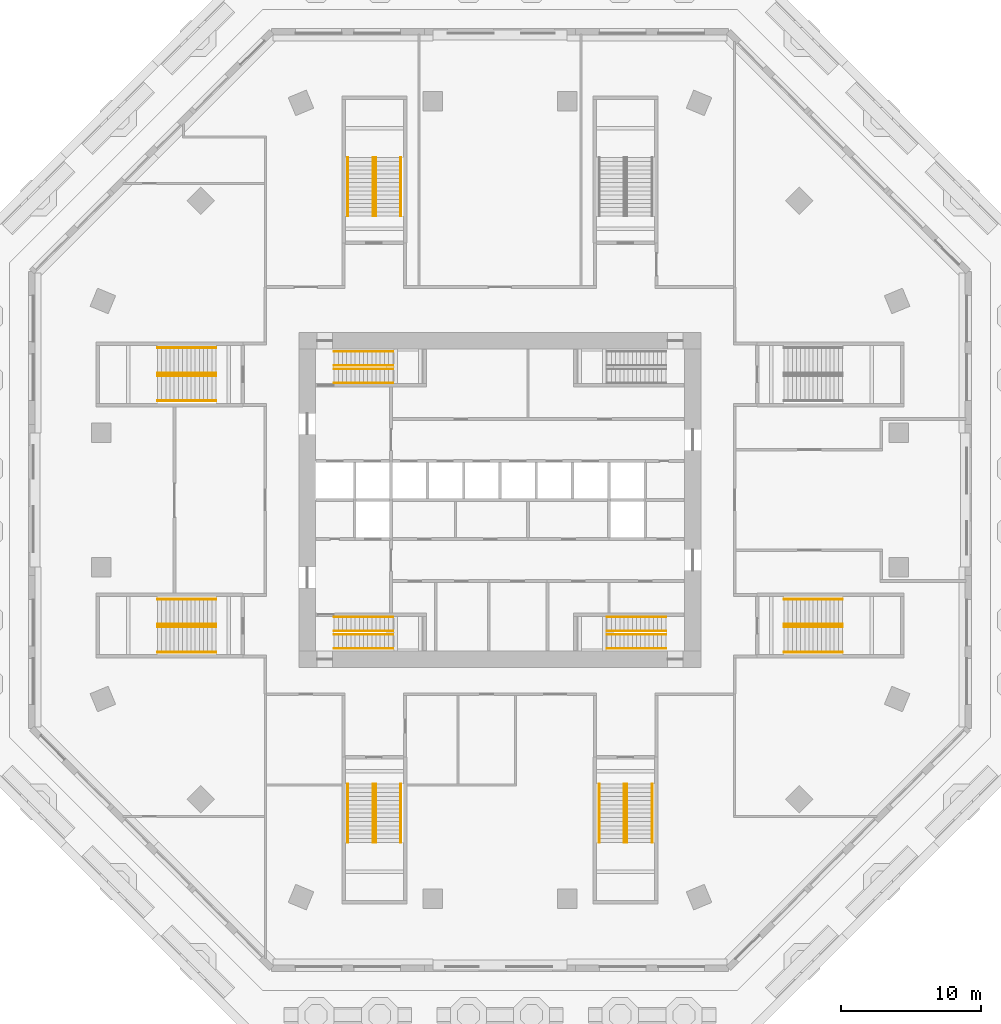
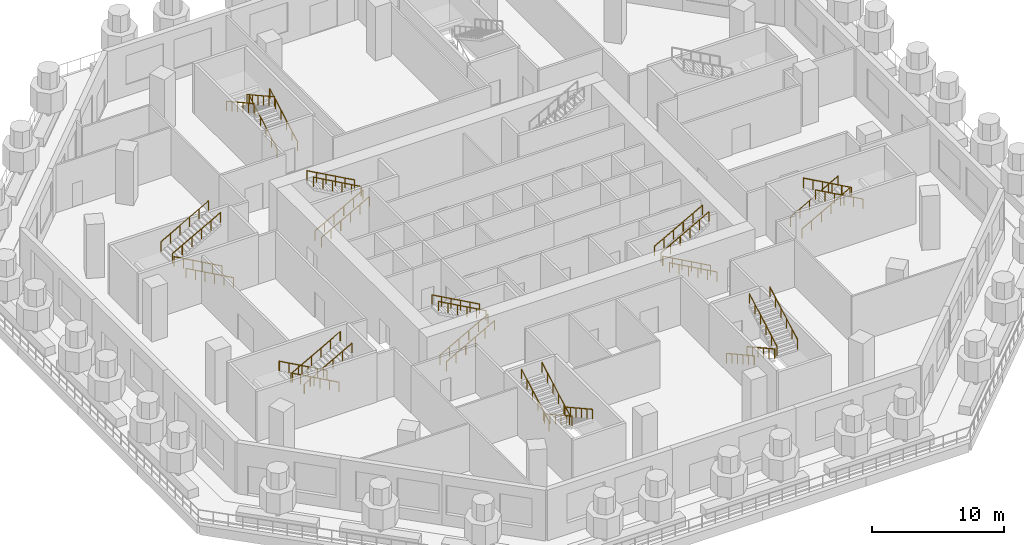
# One storey, part 11 of 13: 36 railings.
"""IFC4 building model written with IfcOpenShell, lengths in metres."""

import ifcopenshell
import ifcopenshell.guid

model = None  # the IFC model being written
_history = None  # IfcOwnerHistory: only IFC2X3 demands one
_inside = {}  # id of a spatial element -> (the spatial element, [elements in it])
_under = {}  # id of a project, library or spatial element -> (it, [spatial elements below it])
_declared = {}  # id of a project -> (the project, [libraries it declares])
_typed = {}  # id of a type object -> (the type object, [elements of that type])
_made_of = {}  # id of a material, layer set ... -> (it, [elements and type objects made of it])


def new_model(schema):
    """Start an empty IFC model of exactly this schema.

    Asked for "IFC4X3", IfcOpenShell would pick the latest addendum, in which some entities
    have other attributes; the version numbers below select the first issue.
    IFC2X3 requires an IfcOwnerHistory on every rooted entity: one is made here for all.
    """
    global model, _history
    if schema == "IFC4X3":
        model = ifcopenshell.file(schema_version=(4, 3, 0, 0))
    else:
        model = ifcopenshell.file(schema=schema)
    _inside.clear()
    _under.clear()
    _declared.clear()
    _typed.clear()
    _made_of.clear()
    _history = None
    if model.schema == "IFC2X3":
        org = make("IfcOrganization", Name="unknown")
        user = make(
            "IfcPersonAndOrganization",
            ThePerson=make("IfcPerson", FamilyName="unknown"),
            TheOrganization=org,
        )
        app = make(
            "IfcApplication",
            ApplicationDeveloper=org,
            Version="unknown",
            ApplicationFullName="unknown",
            ApplicationIdentifier="unknown",
        )
        _history = make(
            "IfcOwnerHistory",
            OwningUser=user,
            OwningApplication=app,
            ChangeAction="ADDED",
            CreationDate=0,
        )
    return model


def make(cls, **values):
    """One entity of the class cls with the attributes given. An attribute that is None is left unset."""
    return model.create_entity(
        cls, **{name: value for name, value in values.items() if value is not None}
    )


def rooted(cls, **values):
    """An entity with a GlobalId (a new one), such as an element, a storey or a relation."""
    return make(cls, GlobalId=ifcopenshell.guid.new(), OwnerHistory=_history, **values)


def si_unit(unit_type, name, prefix=None):
    """IfcSIUnit, for example si_unit("LENGTHUNIT", "METRE", prefix="MILLI")."""
    return make("IfcSIUnit", UnitType=unit_type, Prefix=prefix, Name=name)


def assignment(units):
    """IfcUnitAssignment: the units of a project."""
    return None if units is None else make("IfcUnitAssignment", Units=units)


def point(xyz):
    """IfcCartesianPoint."""
    return None if xyz is None else make("IfcCartesianPoint", Coordinates=xyz)


def direction(xyz):
    """IfcDirection."""
    return None if xyz is None else make("IfcDirection", DirectionRatios=xyz)


def frame(location, z_axis=None, x_axis=None):
    """IfcAxis2Placement3D, a coordinate frame: its origin and axes. An axis left out is left unset."""
    return make(
        "IfcAxis2Placement3D",
        Location=point(location),
        Axis=direction(z_axis),
        RefDirection=direction(x_axis),
    )


def frame_2d(location, x_axis=None):
    """IfcAxis2Placement2D, a coordinate frame in the plane: its origin and x axis."""
    return make(
        "IfcAxis2Placement2D", Location=point(location), RefDirection=direction(x_axis)
    )


def origin():
    """The frame at (0, 0, 0) with its axes left unset."""
    return frame((0.0, 0.0, 0.0))


def origin_2d():
    """The frame at (0, 0) in the plane with its x axis left unset."""
    return frame_2d((0.0, 0.0))


def place(relative_to, where):
    """IfcLocalPlacement: puts the frame where relative to a parent placement (None: the world)."""
    return make(
        "IfcLocalPlacement", PlacementRelTo=relative_to, RelativePlacement=where
    )


def context(
    kind, dimensions, precision=None, world=None, true_north=None, identifier=None
):
    """IfcGeometricRepresentationContext, for example the 3D "Model" context."""
    return make(
        "IfcGeometricRepresentationContext",
        ContextIdentifier=identifier,
        ContextType=kind,
        CoordinateSpaceDimension=dimensions,
        Precision=precision,
        WorldCoordinateSystem=world,
        TrueNorth=true_north,
    )


def subcontext(parent, identifier, kind, view, scale=None):
    """IfcGeometricRepresentationSubContext, for example "Body" below "Model"."""
    return make(
        "IfcGeometricRepresentationSubContext",
        ContextIdentifier=identifier,
        ContextType=kind,
        ParentContext=parent,
        TargetScale=scale,
        TargetView=view,
    )


def project(units=None, contexts=None):
    """IfcProject with its units and contexts."""
    return rooted(
        "IfcProject",
        Name="project",
        RepresentationContexts=contexts,
        UnitsInContext=assignment(units),
    )


def spatial(cls, under=None, at=None, **own):
    """A site, building, storey or space (cls), placed at a placement, below another one or the project."""
    s = rooted(cls, ObjectPlacement=at, **own)
    if under is not None:
        _under.setdefault(under.id(), (under, []))[1].append(s)
    return s


def profile(cls, at=None, kind="AREA", **sizes):
    """A parametric profile (cls). Its sizes go by their IFC names, for example OverallWidth=200.0."""
    return make(cls, ProfileType=kind, Position=at, **sizes)


def circle(**sizes):
    """IfcCircleProfileDef."""
    return profile("IfcCircleProfileDef", **sizes)


def extrude(swept, where, along, depth):
    """IfcExtrudedAreaSolid: the profile swept, set in the frame where, extruded along a direction by depth."""
    return make(
        "IfcExtrudedAreaSolid",
        SweptArea=swept,
        Position=where,
        ExtrudedDirection=direction(along),
        Depth=depth,
    )


def shape(context_of_items, identifier, shape_type, items):
    """IfcShapeRepresentation: the items that make up one representation, for example the "Body"."""
    return make(
        "IfcShapeRepresentation",
        ContextOfItems=context_of_items,
        RepresentationIdentifier=identifier,
        RepresentationType=shape_type,
        Items=items,
    )


def material(Name=None, Category=None):
    """IfcMaterial."""
    return make("IfcMaterial", Name=Name, Category=Category)


def constituent(of_material, Name=None, Category=None, fraction=None):
    """IfcMaterialConstituent: one of the materials an element consists of."""
    return make(
        "IfcMaterialConstituent",
        Name=Name,
        Material=of_material,
        Fraction=fraction,
        Category=Category,
    )


def constituent_set(constituents=None, Name=None):
    """IfcMaterialConstituentSet."""
    return make(
        "IfcMaterialConstituentSet", Name=Name, MaterialConstituents=constituents
    )


def made_of(thing, what):
    """Note that an element or type object is made of a material, layer set ...; save() writes the relation."""
    if what is not None:
        _made_of.setdefault(what.id(), (what, []))[1].append(thing)
    return thing


def type_object(cls, material=None, **own):
    """A type object (cls), such as IfcWallType, which elements share."""
    return made_of(rooted(cls, **own), material)


def element(
    cls,
    number,
    at=None,
    inside=None,
    cuts=None,
    type_object=None,
    material=None,
    context=None,
    identifier="Body",
    shape_type=None,
    held_by="IfcProductDefinitionShape",
    body=None,
    shapes=None,
    **own,
):
    """One element of the class cls, such as IfcWall. Its Tag is "e" and its number.

    at: its placement. inside: the storey or other place that contains it. cuts: it is an
    opening in that element (IfcRelVoidsElement). A single representation is given by context,
    identifier, shape_type and body (its items); several are given by shapes. held_by: the class
    of the entity that holds the representations. save() writes the other relations.
    """
    e = rooted(cls, Tag="e%d" % number, ObjectPlacement=at, **own)
    if body is not None:
        shapes = [shape(context, identifier, shape_type, body)]
    if shapes is not None:
        e.Representation = make(held_by, Representations=shapes)
    if inside is not None:
        _inside.setdefault(inside.id(), (inside, []))[1].append(e)
    if cuts is not None:
        rooted(
            "IfcRelVoidsElement", RelatingBuildingElement=cuts, RelatedOpeningElement=e
        )
    if type_object is not None:
        _typed.setdefault(type_object.id(), (type_object, []))[1].append(e)
    return made_of(e, material)


def aggregate(whole, parts):
    """IfcRelAggregates: a whole, such as a stair, and the parts it consists of."""
    return rooted("IfcRelAggregates", RelatingObject=whole, RelatedObjects=parts)


def save(model, path):
    """Write the relations noted so far, then the file.

    IfcRelAggregates (storeys below a building ...), IfcRelContainedInSpatialStructure (elements
    in a storey), IfcRelDefinesByType, IfcRelAssociatesMaterial and IfcRelDeclares: one each for
    every whole, place, type object, material and project.
    """
    for whole, parts in _under.values():
        aggregate(whole, parts)
    for where, things in _inside.values():
        rooted(
            "IfcRelContainedInSpatialStructure",
            RelatedElements=things,
            RelatingStructure=where,
        )
    for kind, things in _typed.values():
        rooted("IfcRelDefinesByType", RelatedObjects=things, RelatingType=kind)
    for what, things in _made_of.values():
        rooted("IfcRelAssociatesMaterial", RelatedObjects=things, RelatingMaterial=what)
    for by, libraries in _declared.values():
        rooted("IfcRelDeclares", RelatingContext=by, RelatedDefinitions=libraries)
    model.write(path)


model = new_model("IFC4")

# Units and contexts
model_context = context("Model", 3, precision=1e-05, world=origin(), true_north=direction((0.0, 1.0)))
body_context = subcontext(model_context, "Body", "Model", "MODEL_VIEW")
ifc_project = project(units=[si_unit("LENGTHUNIT", "METRE"), si_unit("AREAUNIT", "SQUARE_METRE"), si_unit("VOLUMEUNIT", "CUBIC_METRE"), si_unit("PLANEANGLEUNIT", "RADIAN"), si_unit("MASSUNIT", "GRAM", prefix="KILO")], contexts=[model_context])

# Site, building, storey
site_placement = place(None, origin())
site = spatial("IfcSite", under=ifc_project, at=site_placement, CompositionType="ELEMENT")
building_placement = place(site_placement, origin())
building = spatial("IfcBuilding", under=site, at=building_placement, Name="Msitu Wima Residences", CompositionType="ELEMENT")
storey_placement = place(building_placement, frame((0.0, 0.0, 16.0)))
storey = spatial("IfcBuildingStorey", under=building, at=storey_placement, Name="L03", CompositionType="ELEMENT", Elevation=16.0)

# Railings
ifc_material_1 = material(Name="Steel S355", Category="steel")
ifc_constituent_1 = constituent(ifc_material_1, Name="Steel S355")
ifc_material_2 = material(Name="Black powder coating")
ifc_constituent_2 = constituent(ifc_material_2, Name="Black powder coating")
ifc_constituent_set = constituent_set(constituents=[ifc_constituent_1, ifc_constituent_2], Name="Steel S355")
railing_type = type_object("IfcRailingType", Name="Stair handrail HR1", PredefinedType="HANDRAIL", material=ifc_constituent_set)
for number, where, name in (
    (1, (-11.875, 8.375, 0.166748046875), "Stair 1 handrail"),
    (2, (-11.875, 9.375, 0.166748046875), "Stair 1 handrail"),
):
    element("IfcRailing", number, at=place(storey_placement, frame(where)), inside=storey, type_object=railing_type, Name=name, PredefinedType="HANDRAIL", context=body_context, shape_type="SweptSolid", body=[
        extrude(circle(Radius=0.02392578125, at=origin_2d()), frame((0.0, 0.0, 0.8759765625), z_axis=(0.874162069901, 0.0, 0.485634302275), x_axis=(0.0, 1.0, 0.0)), (0.0, 0.0, 1.0), 4.804443359375),
        extrude(circle(Radius=0.02099609375, at=origin_2d()), origin(), (0.0, 0.0, 1.0), 0.851806640625),
        extrude(circle(Radius=0.02099609375, at=origin_2d()), frame((0.840087890625, 0.0, 0.466552734375)), (0.0, 0.0, 1.0), 0.851806640625),
        extrude(circle(Radius=0.02099609375, at=origin_2d()), frame((1.679931640625, 0.0, 0.933349609375)), (0.0, 0.0, 1.0), 0.851806640625),
        extrude(circle(Radius=0.02099609375, at=origin_2d()), frame((2.52001953125, 0.0, 1.39990234375)), (0.0, 0.0, 1.0), 0.851806640625),
        extrude(circle(Radius=0.02099609375, at=origin_2d()), frame((3.35986328125, 0.0, 1.86669921875)), (0.0, 0.0, 1.0), 0.851806640625),
        extrude(circle(Radius=0.02099609375, at=origin_2d()), frame((4.199951171875, 0.0, 2.333251953125)), (0.0, 0.0, 1.0), 0.851806640625),
    ])
for number, where, name in (
    (3, (-7.675048828125, 9.625, 2.666748046875), "Stair 1 handrail"),
    (4, (-7.675048828125, 10.625, 2.666748046875), "Stair 1 handrail"),
):
    element("IfcRailing", number, at=place(storey_placement, frame(where)), inside=storey, type_object=railing_type, Name=name, PredefinedType="HANDRAIL", context=body_context, shape_type="SweptSolid", body=[
        extrude(circle(Radius=0.02392578125, at=origin_2d()), frame((0.0, 0.0, 0.8759765625), z_axis=(-0.874162069901, 0.0, 0.485634302275), x_axis=(0.0, -1.0, 0.0)), (0.0, 0.0, 1.0), 4.804443359375),
        extrude(circle(Radius=0.02099609375, at=origin_2d()), origin(), (0.0, 0.0, 1.0), 0.851806640625),
        extrude(circle(Radius=0.02099609375, at=origin_2d()), frame((-0.840087890625, 0.0, 0.466552734375)), (0.0, 0.0, 1.0), 0.851806640625),
        extrude(circle(Radius=0.02099609375, at=origin_2d()), frame((-1.679931640625, 0.0, 0.933349609375)), (0.0, 0.0, 1.0), 0.851806640625),
        extrude(circle(Radius=0.02099609375, at=origin_2d()), frame((-2.52001953125, 0.0, 1.39990234375)), (0.0, 0.0, 1.0), 0.851806640625),
        extrude(circle(Radius=0.02099609375, at=origin_2d()), frame((-3.35986328125, 0.0, 1.86669921875)), (0.0, 0.0, 1.0), 0.851806640625),
        extrude(circle(Radius=0.02099609375, at=origin_2d()), frame((-4.199951171875, 0.0, 2.333251953125)), (0.0, 0.0, 1.0), 0.851806640625),
    ])
for number, where, name in (
    (5, (-11.875, -10.625, 0.166748046875), "Stair 2 handrail"),
    (6, (-11.875, -9.625, 0.166748046875), "Stair 2 handrail"),
):
    element("IfcRailing", number, at=place(storey_placement, frame(where)), inside=storey, type_object=railing_type, Name=name, PredefinedType="HANDRAIL", context=body_context, shape_type="SweptSolid", body=[
        extrude(circle(Radius=0.02392578125, at=origin_2d()), frame((0.0, 0.0, 0.8759765625), z_axis=(0.874162069901, 0.0, 0.485634302275), x_axis=(0.0, 1.0, 0.0)), (0.0, 0.0, 1.0), 4.804443359375),
        extrude(circle(Radius=0.02099609375, at=origin_2d()), origin(), (0.0, 0.0, 1.0), 0.851806640625),
        extrude(circle(Radius=0.02099609375, at=origin_2d()), frame((0.840087890625, 0.0, 0.466552734375)), (0.0, 0.0, 1.0), 0.851806640625),
        extrude(circle(Radius=0.02099609375, at=origin_2d()), frame((1.679931640625, 0.0, 0.933349609375)), (0.0, 0.0, 1.0), 0.851806640625),
        extrude(circle(Radius=0.02099609375, at=origin_2d()), frame((2.52001953125, 0.0, 1.39990234375)), (0.0, 0.0, 1.0), 0.851806640625),
        extrude(circle(Radius=0.02099609375, at=origin_2d()), frame((3.35986328125, 0.0, 1.86669921875)), (0.0, 0.0, 1.0), 0.851806640625),
        extrude(circle(Radius=0.02099609375, at=origin_2d()), frame((4.199951171875, 0.0, 2.333251953125)), (0.0, 0.0, 1.0), 0.851806640625),
    ])
for number, where, name in (
    (7, (-7.675048828125, -9.375, 2.666748046875), "Stair 2 handrail"),
    (8, (-7.675048828125, -8.375, 2.666748046875), "Stair 2 handrail"),
    (9, (11.875, -10.625, 0.166748046875), "Stair 4 handrail"),
    (10, (11.875, -9.625, 0.166748046875), "Stair 4 handrail"),
):
    element("IfcRailing", number, at=place(storey_placement, frame(where)), inside=storey, type_object=railing_type, Name=name, PredefinedType="HANDRAIL", context=body_context, shape_type="SweptSolid", body=[
        extrude(circle(Radius=0.02392578125, at=origin_2d()), frame((0.0, 0.0, 0.8759765625), z_axis=(-0.874162069901, 0.0, 0.485634302275), x_axis=(0.0, -1.0, 0.0)), (0.0, 0.0, 1.0), 4.804443359375),
        extrude(circle(Radius=0.02099609375, at=origin_2d()), origin(), (0.0, 0.0, 1.0), 0.851806640625),
        extrude(circle(Radius=0.02099609375, at=origin_2d()), frame((-0.840087890625, 0.0, 0.466552734375)), (0.0, 0.0, 1.0), 0.851806640625),
        extrude(circle(Radius=0.02099609375, at=origin_2d()), frame((-1.679931640625, 0.0, 0.933349609375)), (0.0, 0.0, 1.0), 0.851806640625),
        extrude(circle(Radius=0.02099609375, at=origin_2d()), frame((-2.52001953125, 0.0, 1.39990234375)), (0.0, 0.0, 1.0), 0.851806640625),
        extrude(circle(Radius=0.02099609375, at=origin_2d()), frame((-3.35986328125, 0.0, 1.86669921875)), (0.0, 0.0, 1.0), 0.851806640625),
        extrude(circle(Radius=0.02099609375, at=origin_2d()), frame((-4.199951171875, 0.0, 2.333251953125)), (0.0, 0.0, 1.0), 0.851806640625),
    ])
for number, where, name in (
    (11, (7.675048828125, -9.375, 2.666748046875), "Stair 4 handrail"),
    (12, (7.675048828125, -8.375, 2.666748046875), "Stair 4 handrail"),
    (13, (20.324951171875, -7.10009765625, 0.166748046875), "Podium exit stair 2 handrail"),
    (14, (20.324951171875, -8.89990234375, 0.166748046875), "Podium exit stair 2 handrail"),
):
    element("IfcRailing", number, at=place(storey_placement, frame(where)), inside=storey, type_object=railing_type, Name=name, PredefinedType="HANDRAIL", context=body_context, shape_type="SweptSolid", body=[
        extrude(circle(Radius=0.02392578125, at=origin_2d()), frame((0.0, 0.0, 0.8759765625), z_axis=(0.874162069901, 0.0, 0.485634302275), x_axis=(0.0, 1.0, 0.0)), (0.0, 0.0, 1.0), 4.804443359375),
        extrude(circle(Radius=0.02099609375, at=origin_2d()), origin(), (0.0, 0.0, 1.0), 0.851806640625),
        extrude(circle(Radius=0.02099609375, at=origin_2d()), frame((0.840087890625, 0.0, 0.466552734375)), (0.0, 0.0, 1.0), 0.851806640625),
        extrude(circle(Radius=0.02099609375, at=origin_2d()), frame((1.679931640625, 0.0, 0.933349609375)), (0.0, 0.0, 1.0), 0.851806640625),
        extrude(circle(Radius=0.02099609375, at=origin_2d()), frame((2.52001953125, 0.0, 1.39990234375)), (0.0, 0.0, 1.0), 0.851806640625),
        extrude(circle(Radius=0.02099609375, at=origin_2d()), frame((3.35986328125, 0.0, 1.86669921875)), (0.0, 0.0, 1.0), 0.851806640625),
        extrude(circle(Radius=0.02099609375, at=origin_2d()), frame((4.199951171875, 0.0, 2.333251953125)), (0.0, 0.0, 1.0), 0.851806640625),
    ])
for number, where, name in (
    (15, (24.52490234375, -9.10009765625, 2.666748046875), "Podium exit stair 2 handrail"),
    (16, (24.52490234375, -10.89990234375, 2.666748046875), "Podium exit stair 2 handrail"),
):
    element("IfcRailing", number, at=place(storey_placement, frame(where)), inside=storey, type_object=railing_type, Name=name, PredefinedType="HANDRAIL", context=body_context, shape_type="SweptSolid", body=[
        extrude(circle(Radius=0.02392578125, at=origin_2d()), frame((0.0, 0.0, 0.8759765625), z_axis=(-0.874162069901, 0.0, 0.485634302275), x_axis=(0.0, -1.0, 0.0)), (0.0, 0.0, 1.0), 4.804443359375),
        extrude(circle(Radius=0.02099609375, at=origin_2d()), origin(), (0.0, 0.0, 1.0), 0.851806640625),
        extrude(circle(Radius=0.02099609375, at=origin_2d()), frame((-0.840087890625, 0.0, 0.466552734375)), (0.0, 0.0, 1.0), 0.851806640625),
        extrude(circle(Radius=0.02099609375, at=origin_2d()), frame((-1.679931640625, 0.0, 0.933349609375)), (0.0, 0.0, 1.0), 0.851806640625),
        extrude(circle(Radius=0.02099609375, at=origin_2d()), frame((-2.52001953125, 0.0, 1.39990234375)), (0.0, 0.0, 1.0), 0.851806640625),
        extrude(circle(Radius=0.02099609375, at=origin_2d()), frame((-3.35986328125, 0.0, 1.86669921875)), (0.0, 0.0, 1.0), 0.851806640625),
        extrude(circle(Radius=0.02099609375, at=origin_2d()), frame((-4.199951171875, 0.0, 2.333251953125)), (0.0, 0.0, 1.0), 0.851806640625),
    ])
for number, where, name in (
    (17, (-7.10009765625, 20.324951171875, 0.166748046875), "Podium exit stair 3 handrail"),
    (18, (-8.89990234375, 20.324951171875, 0.166748046875), "Podium exit stair 3 handrail"),
):
    element("IfcRailing", number, at=place(storey_placement, frame(where)), inside=storey, type_object=railing_type, Name=name, PredefinedType="HANDRAIL", context=body_context, shape_type="SweptSolid", body=[
        extrude(circle(Radius=0.02392578125, at=origin_2d()), frame((0.0, 0.0, 0.8759765625), z_axis=(0.0, 0.874162069901, 0.485634302275), x_axis=(-1.0, 0.0, 0.0)), (0.0, 0.0, 1.0), 4.804443359375),
        extrude(circle(Radius=0.02099609375, at=origin_2d()), origin(), (0.0, 0.0, 1.0), 0.851806640625),
        extrude(circle(Radius=0.02099609375, at=origin_2d()), frame((0.0, 0.840087890625, 0.466552734375)), (0.0, 0.0, 1.0), 0.851806640625),
        extrude(circle(Radius=0.02099609375, at=origin_2d()), frame((0.0, 1.679931640625, 0.933349609375)), (0.0, 0.0, 1.0), 0.851806640625),
        extrude(circle(Radius=0.02099609375, at=origin_2d()), frame((0.0, 2.52001953125, 1.39990234375)), (0.0, 0.0, 1.0), 0.851806640625),
        extrude(circle(Radius=0.02099609375, at=origin_2d()), frame((0.0, 3.35986328125, 1.86669921875)), (0.0, 0.0, 1.0), 0.851806640625),
        extrude(circle(Radius=0.02099609375, at=origin_2d()), frame((0.0, 4.199951171875, 2.333251953125)), (0.0, 0.0, 1.0), 0.851806640625),
    ])
for number, where, name in (
    (19, (-9.10009765625, 24.52490234375, 2.666748046875), "Podium exit stair 3 handrail"),
    (20, (-10.89990234375, 24.52490234375, 2.666748046875), "Podium exit stair 3 handrail"),
):
    element("IfcRailing", number, at=place(storey_placement, frame(where)), inside=storey, type_object=railing_type, Name=name, PredefinedType="HANDRAIL", context=body_context, shape_type="SweptSolid", body=[
        extrude(circle(Radius=0.02392578125, at=origin_2d()), frame((0.0, 0.0, 0.8759765625), z_axis=(0.0, -0.874162069901, 0.485634302275), x_axis=(1.0, 0.0, 0.0)), (0.0, 0.0, 1.0), 4.804443359375),
        extrude(circle(Radius=0.02099609375, at=origin_2d()), origin(), (0.0, 0.0, 1.0), 0.851806640625),
        extrude(circle(Radius=0.02099609375, at=origin_2d()), frame((0.0, -0.840087890625, 0.466552734375)), (0.0, 0.0, 1.0), 0.851806640625),
        extrude(circle(Radius=0.02099609375, at=origin_2d()), frame((0.0, -1.679931640625, 0.933349609375)), (0.0, 0.0, 1.0), 0.851806640625),
        extrude(circle(Radius=0.02099609375, at=origin_2d()), frame((0.0, -2.52001953125, 1.39990234375)), (0.0, 0.0, 1.0), 0.851806640625),
        extrude(circle(Radius=0.02099609375, at=origin_2d()), frame((0.0, -3.35986328125, 1.86669921875)), (0.0, 0.0, 1.0), 0.851806640625),
        extrude(circle(Radius=0.02099609375, at=origin_2d()), frame((0.0, -4.199951171875, 2.333251953125)), (0.0, 0.0, 1.0), 0.851806640625),
    ])
for number, where, name in (
    (21, (-20.324951171875, -7.10009765625, 0.166748046875), "Podium exit stair 5 handrail"),
    (22, (-20.324951171875, -8.89990234375, 0.166748046875), "Podium exit stair 5 handrail"),
):
    element("IfcRailing", number, at=place(storey_placement, frame(where)), inside=storey, type_object=railing_type, Name=name, PredefinedType="HANDRAIL", context=body_context, shape_type="SweptSolid", body=[
        extrude(circle(Radius=0.02392578125, at=origin_2d()), frame((0.0, 0.0, 0.8759765625), z_axis=(-0.874162069901, 0.0, 0.485634302275), x_axis=(0.0, -1.0, 0.0)), (0.0, 0.0, 1.0), 4.804443359375),
        extrude(circle(Radius=0.02099609375, at=origin_2d()), origin(), (0.0, 0.0, 1.0), 0.851806640625),
        extrude(circle(Radius=0.02099609375, at=origin_2d()), frame((-0.840087890625, 0.0, 0.466552734375)), (0.0, 0.0, 1.0), 0.851806640625),
        extrude(circle(Radius=0.02099609375, at=origin_2d()), frame((-1.679931640625, 0.0, 0.933349609375)), (0.0, 0.0, 1.0), 0.851806640625),
        extrude(circle(Radius=0.02099609375, at=origin_2d()), frame((-2.52001953125, 0.0, 1.39990234375)), (0.0, 0.0, 1.0), 0.851806640625),
        extrude(circle(Radius=0.02099609375, at=origin_2d()), frame((-3.35986328125, 0.0, 1.86669921875)), (0.0, 0.0, 1.0), 0.851806640625),
        extrude(circle(Radius=0.02099609375, at=origin_2d()), frame((-4.199951171875, 0.0, 2.333251953125)), (0.0, 0.0, 1.0), 0.851806640625),
    ])
for number, where, name in (
    (23, (-24.52490234375, -9.10009765625, 2.666748046875), "Podium exit stair 5 handrail"),
    (24, (-24.52490234375, -10.89990234375, 2.666748046875), "Podium exit stair 5 handrail"),
):
    element("IfcRailing", number, at=place(storey_placement, frame(where)), inside=storey, type_object=railing_type, Name=name, PredefinedType="HANDRAIL", context=body_context, shape_type="SweptSolid", body=[
        extrude(circle(Radius=0.02392578125, at=origin_2d()), frame((0.0, 0.0, 0.8759765625), z_axis=(0.874162069901, 0.0, 0.485634302275), x_axis=(0.0, 1.0, 0.0)), (0.0, 0.0, 1.0), 4.804443359375),
        extrude(circle(Radius=0.02099609375, at=origin_2d()), origin(), (0.0, 0.0, 1.0), 0.851806640625),
        extrude(circle(Radius=0.02099609375, at=origin_2d()), frame((0.840087890625, 0.0, 0.466552734375)), (0.0, 0.0, 1.0), 0.851806640625),
        extrude(circle(Radius=0.02099609375, at=origin_2d()), frame((1.679931640625, 0.0, 0.933349609375)), (0.0, 0.0, 1.0), 0.851806640625),
        extrude(circle(Radius=0.02099609375, at=origin_2d()), frame((2.52001953125, 0.0, 1.39990234375)), (0.0, 0.0, 1.0), 0.851806640625),
        extrude(circle(Radius=0.02099609375, at=origin_2d()), frame((3.35986328125, 0.0, 1.86669921875)), (0.0, 0.0, 1.0), 0.851806640625),
        extrude(circle(Radius=0.02099609375, at=origin_2d()), frame((4.199951171875, 0.0, 2.333251953125)), (0.0, 0.0, 1.0), 0.851806640625),
    ])
for number, where, name in (
    (25, (-20.324951171875, 7.10009765625, 0.166748046875), "Podium exit stair 6 handrail"),
    (26, (-20.324951171875, 8.89990234375, 0.166748046875), "Podium exit stair 6 handrail"),
):
    element("IfcRailing", number, at=place(storey_placement, frame(where)), inside=storey, type_object=railing_type, Name=name, PredefinedType="HANDRAIL", context=body_context, shape_type="SweptSolid", body=[
        extrude(circle(Radius=0.02392578125, at=origin_2d()), frame((0.0, 0.0, 0.8759765625), z_axis=(-0.874162069901, 0.0, 0.485634302275), x_axis=(0.0, -1.0, 0.0)), (0.0, 0.0, 1.0), 4.804443359375),
        extrude(circle(Radius=0.02099609375, at=origin_2d()), origin(), (0.0, 0.0, 1.0), 0.851806640625),
        extrude(circle(Radius=0.02099609375, at=origin_2d()), frame((-0.840087890625, 0.0, 0.466552734375)), (0.0, 0.0, 1.0), 0.851806640625),
        extrude(circle(Radius=0.02099609375, at=origin_2d()), frame((-1.679931640625, 0.0, 0.933349609375)), (0.0, 0.0, 1.0), 0.851806640625),
        extrude(circle(Radius=0.02099609375, at=origin_2d()), frame((-2.52001953125, 0.0, 1.39990234375)), (0.0, 0.0, 1.0), 0.851806640625),
        extrude(circle(Radius=0.02099609375, at=origin_2d()), frame((-3.35986328125, 0.0, 1.86669921875)), (0.0, 0.0, 1.0), 0.851806640625),
        extrude(circle(Radius=0.02099609375, at=origin_2d()), frame((-4.199951171875, 0.0, 2.333251953125)), (0.0, 0.0, 1.0), 0.851806640625),
    ])
for number, where, name in (
    (27, (-24.52490234375, 9.10009765625, 2.666748046875), "Podium exit stair 6 handrail"),
    (28, (-24.52490234375, 10.89990234375, 2.666748046875), "Podium exit stair 6 handrail"),
):
    element("IfcRailing", number, at=place(storey_placement, frame(where)), inside=storey, type_object=railing_type, Name=name, PredefinedType="HANDRAIL", context=body_context, shape_type="SweptSolid", body=[
        extrude(circle(Radius=0.02392578125, at=origin_2d()), frame((0.0, 0.0, 0.8759765625), z_axis=(0.874162069901, 0.0, 0.485634302275), x_axis=(0.0, 1.0, 0.0)), (0.0, 0.0, 1.0), 4.804443359375),
        extrude(circle(Radius=0.02099609375, at=origin_2d()), origin(), (0.0, 0.0, 1.0), 0.851806640625),
        extrude(circle(Radius=0.02099609375, at=origin_2d()), frame((0.840087890625, 0.0, 0.466552734375)), (0.0, 0.0, 1.0), 0.851806640625),
        extrude(circle(Radius=0.02099609375, at=origin_2d()), frame((1.679931640625, 0.0, 0.933349609375)), (0.0, 0.0, 1.0), 0.851806640625),
        extrude(circle(Radius=0.02099609375, at=origin_2d()), frame((2.52001953125, 0.0, 1.39990234375)), (0.0, 0.0, 1.0), 0.851806640625),
        extrude(circle(Radius=0.02099609375, at=origin_2d()), frame((3.35986328125, 0.0, 1.86669921875)), (0.0, 0.0, 1.0), 0.851806640625),
        extrude(circle(Radius=0.02099609375, at=origin_2d()), frame((4.199951171875, 0.0, 2.333251953125)), (0.0, 0.0, 1.0), 0.851806640625),
    ])
for number, where, name in (
    (29, (7.10009765625, -20.324951171875, 0.166748046875), "Podium exit stair 7 handrail"),
    (30, (8.89990234375, -20.324951171875, 0.166748046875), "Podium exit stair 7 handrail"),
):
    element("IfcRailing", number, at=place(storey_placement, frame(where)), inside=storey, type_object=railing_type, Name=name, PredefinedType="HANDRAIL", context=body_context, shape_type="SweptSolid", body=[
        extrude(circle(Radius=0.02392578125, at=origin_2d()), frame((0.0, 0.0, 0.8759765625), z_axis=(0.0, -0.874162069901, 0.485634302275), x_axis=(1.0, 0.0, 0.0)), (0.0, 0.0, 1.0), 4.804443359375),
        extrude(circle(Radius=0.02099609375, at=origin_2d()), origin(), (0.0, 0.0, 1.0), 0.851806640625),
        extrude(circle(Radius=0.02099609375, at=origin_2d()), frame((0.0, -0.840087890625, 0.466552734375)), (0.0, 0.0, 1.0), 0.851806640625),
        extrude(circle(Radius=0.02099609375, at=origin_2d()), frame((0.0, -1.679931640625, 0.933349609375)), (0.0, 0.0, 1.0), 0.851806640625),
        extrude(circle(Radius=0.02099609375, at=origin_2d()), frame((0.0, -2.52001953125, 1.39990234375)), (0.0, 0.0, 1.0), 0.851806640625),
        extrude(circle(Radius=0.02099609375, at=origin_2d()), frame((0.0, -3.35986328125, 1.86669921875)), (0.0, 0.0, 1.0), 0.851806640625),
        extrude(circle(Radius=0.02099609375, at=origin_2d()), frame((0.0, -4.199951171875, 2.333251953125)), (0.0, 0.0, 1.0), 0.851806640625),
    ])
for number, where, name in (
    (31, (9.10009765625, -24.52490234375, 2.666748046875), "Podium exit stair 7 handrail"),
    (32, (10.89990234375, -24.52490234375, 2.666748046875), "Podium exit stair 7 handrail"),
):
    element("IfcRailing", number, at=place(storey_placement, frame(where)), inside=storey, type_object=railing_type, Name=name, PredefinedType="HANDRAIL", context=body_context, shape_type="SweptSolid", body=[
        extrude(circle(Radius=0.02392578125, at=origin_2d()), frame((0.0, 0.0, 0.8759765625), z_axis=(0.0, 0.874162069901, 0.485634302275), x_axis=(-1.0, 0.0, 0.0)), (0.0, 0.0, 1.0), 4.804443359375),
        extrude(circle(Radius=0.02099609375, at=origin_2d()), origin(), (0.0, 0.0, 1.0), 0.851806640625),
        extrude(circle(Radius=0.02099609375, at=origin_2d()), frame((0.0, 0.840087890625, 0.466552734375)), (0.0, 0.0, 1.0), 0.851806640625),
        extrude(circle(Radius=0.02099609375, at=origin_2d()), frame((0.0, 1.679931640625, 0.933349609375)), (0.0, 0.0, 1.0), 0.851806640625),
        extrude(circle(Radius=0.02099609375, at=origin_2d()), frame((0.0, 2.52001953125, 1.39990234375)), (0.0, 0.0, 1.0), 0.851806640625),
        extrude(circle(Radius=0.02099609375, at=origin_2d()), frame((0.0, 3.35986328125, 1.86669921875)), (0.0, 0.0, 1.0), 0.851806640625),
        extrude(circle(Radius=0.02099609375, at=origin_2d()), frame((0.0, 4.199951171875, 2.333251953125)), (0.0, 0.0, 1.0), 0.851806640625),
    ])
for number, where, name in (
    (33, (-7.10009765625, -20.324951171875, 0.166748046875), "Podium exit stair 8 handrail"),
    (34, (-8.89990234375, -20.324951171875, 0.166748046875), "Podium exit stair 8 handrail"),
):
    element("IfcRailing", number, at=place(storey_placement, frame(where)), inside=storey, type_object=railing_type, Name=name, PredefinedType="HANDRAIL", context=body_context, shape_type="SweptSolid", body=[
        extrude(circle(Radius=0.02392578125, at=origin_2d()), frame((0.0, 0.0, 0.8759765625), z_axis=(0.0, -0.874162069901, 0.485634302275), x_axis=(1.0, 0.0, 0.0)), (0.0, 0.0, 1.0), 4.804443359375),
        extrude(circle(Radius=0.02099609375, at=origin_2d()), origin(), (0.0, 0.0, 1.0), 0.851806640625),
        extrude(circle(Radius=0.02099609375, at=origin_2d()), frame((0.0, -0.840087890625, 0.466552734375)), (0.0, 0.0, 1.0), 0.851806640625),
        extrude(circle(Radius=0.02099609375, at=origin_2d()), frame((0.0, -1.679931640625, 0.933349609375)), (0.0, 0.0, 1.0), 0.851806640625),
        extrude(circle(Radius=0.02099609375, at=origin_2d()), frame((0.0, -2.52001953125, 1.39990234375)), (0.0, 0.0, 1.0), 0.851806640625),
        extrude(circle(Radius=0.02099609375, at=origin_2d()), frame((0.0, -3.35986328125, 1.86669921875)), (0.0, 0.0, 1.0), 0.851806640625),
        extrude(circle(Radius=0.02099609375, at=origin_2d()), frame((0.0, -4.199951171875, 2.333251953125)), (0.0, 0.0, 1.0), 0.851806640625),
    ])
for number, where, name in (
    (35, (-9.10009765625, -24.52490234375, 2.666748046875), "Podium exit stair 8 handrail"),
    (36, (-10.89990234375, -24.52490234375, 2.666748046875), "Podium exit stair 8 handrail"),
):
    element("IfcRailing", number, at=place(storey_placement, frame(where)), inside=storey, type_object=railing_type, Name=name, PredefinedType="HANDRAIL", context=body_context, shape_type="SweptSolid", body=[
        extrude(circle(Radius=0.02392578125, at=origin_2d()), frame((0.0, 0.0, 0.8759765625), z_axis=(0.0, 0.874162069901, 0.485634302275), x_axis=(-1.0, 0.0, 0.0)), (0.0, 0.0, 1.0), 4.804443359375),
        extrude(circle(Radius=0.02099609375, at=origin_2d()), origin(), (0.0, 0.0, 1.0), 0.851806640625),
        extrude(circle(Radius=0.02099609375, at=origin_2d()), frame((0.0, 0.840087890625, 0.466552734375)), (0.0, 0.0, 1.0), 0.851806640625),
        extrude(circle(Radius=0.02099609375, at=origin_2d()), frame((0.0, 1.679931640625, 0.933349609375)), (0.0, 0.0, 1.0), 0.851806640625),
        extrude(circle(Radius=0.02099609375, at=origin_2d()), frame((0.0, 2.52001953125, 1.39990234375)), (0.0, 0.0, 1.0), 0.851806640625),
        extrude(circle(Radius=0.02099609375, at=origin_2d()), frame((0.0, 3.35986328125, 1.86669921875)), (0.0, 0.0, 1.0), 0.851806640625),
        extrude(circle(Radius=0.02099609375, at=origin_2d()), frame((0.0, 4.199951171875, 2.333251953125)), (0.0, 0.0, 1.0), 0.851806640625),
    ])

save(model, "model.ifc")
